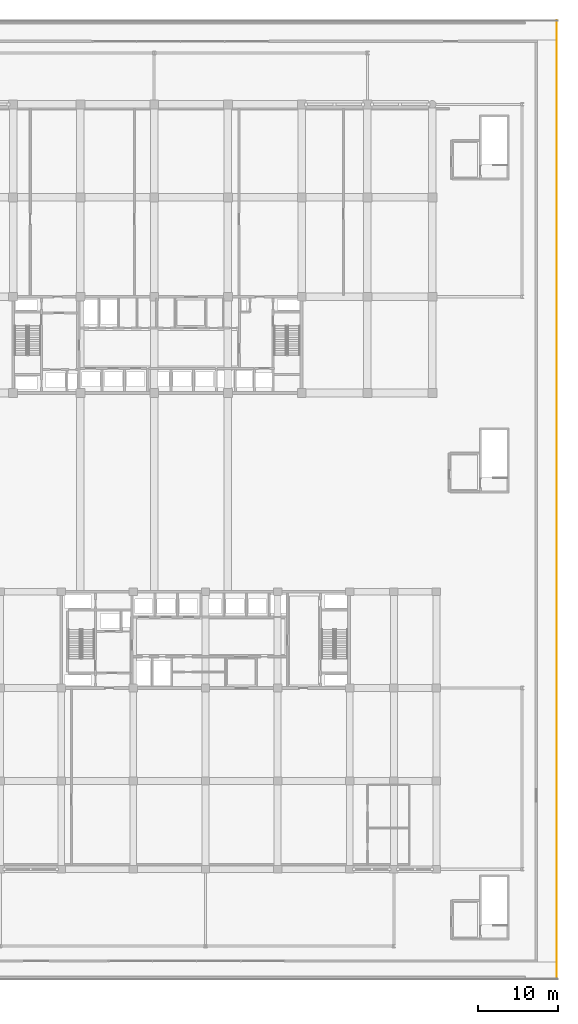
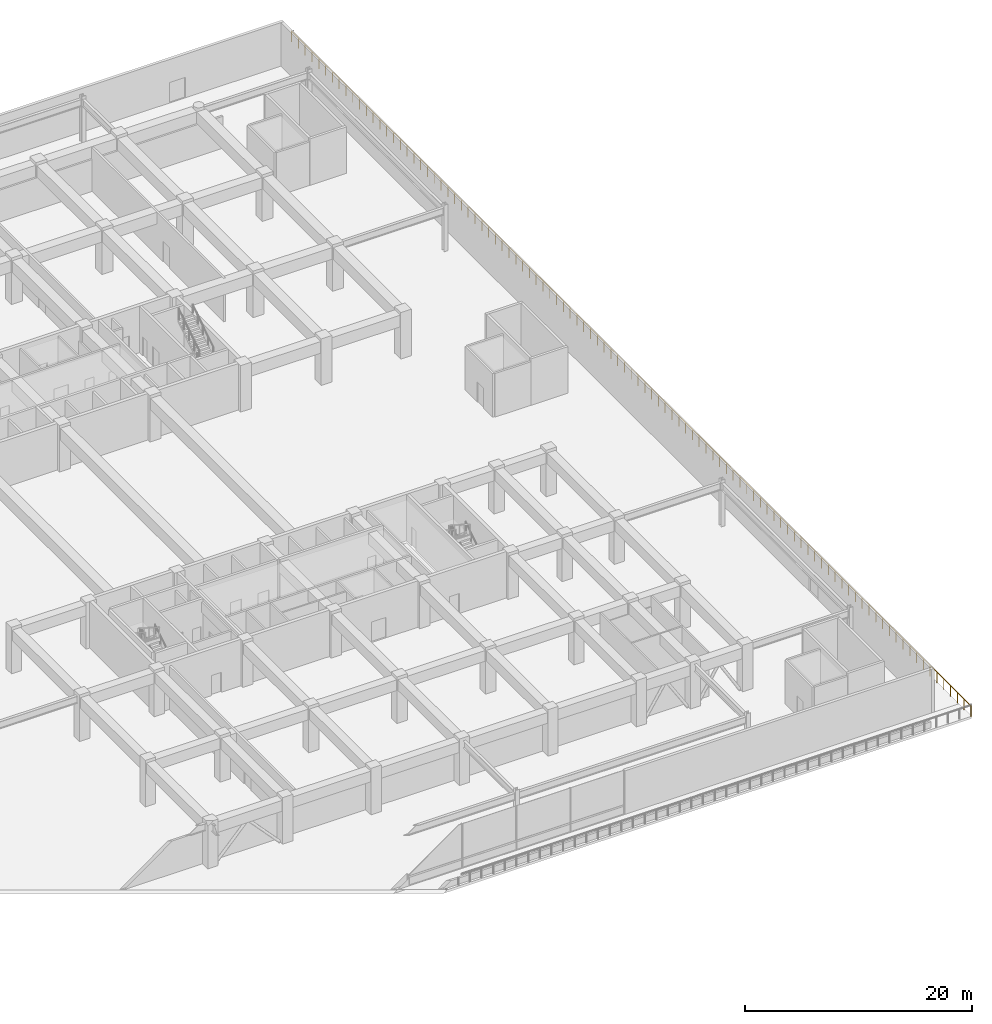
# One storey, part 36 of 38: 1 railing.
"""IFC4 building model written with IfcOpenShell, lengths in metres."""

from ifc_helpers import new_model, si_unit, direction, frame, origin, origin_2d, place, context, subcontext, project, spatial, circle, extrude, material, type_object, element, save


model = new_model("IFC4")

# Units and contexts
model_context = context("Model", 3, precision=1e-05, world=origin(), true_north=direction((0.0, 1.0)))
body_context = subcontext(model_context, "Body", "Model", "MODEL_VIEW")
ifc_project = project(units=[si_unit("LENGTHUNIT", "METRE"), si_unit("AREAUNIT", "SQUARE_METRE"), si_unit("VOLUMEUNIT", "CUBIC_METRE"), si_unit("PLANEANGLEUNIT", "RADIAN"), si_unit("MASSUNIT", "GRAM", prefix="KILO")], contexts=[model_context])

# Site, building, storey
site_placement = place(None, origin())
site = spatial("IfcSite", under=ifc_project, at=site_placement, CompositionType="ELEMENT")
building_placement = place(site_placement, origin())
building = spatial("IfcBuilding", under=site, at=building_placement, Name="Korimba Cascade Residences", CompositionType="ELEMENT")
storey_placement = place(building_placement, frame((0.0, 0.0, 19.0)))
storey = spatial("IfcBuildingStorey", under=building, at=storey_placement, Name="L04", CompositionType="ELEMENT", Elevation=19.0)

# Railing
ifc_material = material(Name="Painted Galvanised Steel Terrace Guardrail", Category="steel")
railing_type = type_object("IfcRailingType", Name="RLG-TER-1150", PredefinedType="GUARDRAIL", material=ifc_material)
railing_placement = place(storey_placement, frame((143.919921875, -18.0, 0.0)))
element("IfcRailing", 1, at=railing_placement, inside=storey, type_object=railing_type, Name="L04 Perimeter Guardrail RLG-L04-TER-02", PredefinedType="GUARDRAIL", context=body_context, shape_type="SweptSolid", body=[
    extrude(circle(Radius=0.02392578125, at=origin_2d()), frame((0.0, 0.0, 1.1259765625), z_axis=(0.0, 1.0, 0.0), x_axis=(-1.0, 0.0, 0.0)), (0.0, 0.0, 1.0), 119.699951171875),
    extrude(circle(Radius=0.02099609375, at=origin_2d()), origin(), (0.0, 0.0, 1.0), 1.101806640625),
    extrude(circle(Radius=0.02099609375, at=origin_2d()), frame((0.0, 1.197021484375, 0.0)), (0.0, 0.0, 1.0), 1.101806640625),
    extrude(circle(Radius=0.02099609375, at=origin_2d()), frame((0.0, 2.39404296875, 0.0)), (0.0, 0.0, 1.0), 1.101806640625),
    extrude(circle(Radius=0.02099609375, at=origin_2d()), frame((0.0, 3.591064453125, 0.0)), (0.0, 0.0, 1.0), 1.101806640625),
    extrude(circle(Radius=0.02099609375, at=origin_2d()), frame((0.0, 4.7880859375, 0.0)), (0.0, 0.0, 1.0), 1.101806640625),
    extrude(circle(Radius=0.02099609375, at=origin_2d()), frame((0.0, 5.985107421875, 0.0)), (0.0, 0.0, 1.0), 1.101806640625),
    extrude(circle(Radius=0.02099609375, at=origin_2d()), frame((0.0, 7.181884765625, 0.0)), (0.0, 0.0, 1.0), 1.101806640625),
    extrude(circle(Radius=0.02099609375, at=origin_2d()), frame((0.0, 8.37890625, 0.0)), (0.0, 0.0, 1.0), 1.101806640625),
    extrude(circle(Radius=0.02099609375, at=origin_2d()), frame((0.0, 9.575927734375, 0.0)), (0.0, 0.0, 1.0), 1.101806640625),
    extrude(circle(Radius=0.02099609375, at=origin_2d()), frame((0.0, 10.77294921875, 0.0)), (0.0, 0.0, 1.0), 1.101806640625),
    extrude(circle(Radius=0.02099609375, at=origin_2d()), frame((0.0, 11.969970703125, 0.0)), (0.0, 0.0, 1.0), 1.101806640625),
    extrude(circle(Radius=0.02099609375, at=origin_2d()), frame((0.0, 13.1669921875, 0.0)), (0.0, 0.0, 1.0), 1.101806640625),
    extrude(circle(Radius=0.02099609375, at=origin_2d()), frame((0.0, 14.364013671875, 0.0)), (0.0, 0.0, 1.0), 1.101806640625),
    extrude(circle(Radius=0.02099609375, at=origin_2d()), frame((0.0, 15.56103515625, 0.0)), (0.0, 0.0, 1.0), 1.101806640625),
    extrude(circle(Radius=0.02099609375, at=origin_2d()), frame((0.0, 16.758056640625, 0.0)), (0.0, 0.0, 1.0), 1.101806640625),
    extrude(circle(Radius=0.02099609375, at=origin_2d()), frame((0.0, 17.955078125, 0.0)), (0.0, 0.0, 1.0), 1.101806640625),
    extrude(circle(Radius=0.02099609375, at=origin_2d()), frame((0.0, 19.152099609375, 0.0)), (0.0, 0.0, 1.0), 1.101806640625),
    extrude(circle(Radius=0.02099609375, at=origin_2d()), frame((0.0, 20.348876953125, 0.0)), (0.0, 0.0, 1.0), 1.101806640625),
    extrude(circle(Radius=0.02099609375, at=origin_2d()), frame((0.0, 21.5458984375, 0.0)), (0.0, 0.0, 1.0), 1.101806640625),
    extrude(circle(Radius=0.02099609375, at=origin_2d()), frame((0.0, 22.742919921875, 0.0)), (0.0, 0.0, 1.0), 1.101806640625),
    extrude(circle(Radius=0.02099609375, at=origin_2d()), frame((0.0, 23.93994140625, 0.0)), (0.0, 0.0, 1.0), 1.101806640625),
    extrude(circle(Radius=0.02099609375, at=origin_2d()), frame((0.0, 25.136962890625, 0.0)), (0.0, 0.0, 1.0), 1.101806640625),
    extrude(circle(Radius=0.02099609375, at=origin_2d()), frame((0.0, 26.333984375, 0.0)), (0.0, 0.0, 1.0), 1.101806640625),
    extrude(circle(Radius=0.02099609375, at=origin_2d()), frame((0.0, 27.531005859375, 0.0)), (0.0, 0.0, 1.0), 1.101806640625),
    extrude(circle(Radius=0.02099609375, at=origin_2d()), frame((0.0, 28.72802734375, 0.0)), (0.0, 0.0, 1.0), 1.101806640625),
    extrude(circle(Radius=0.02099609375, at=origin_2d()), frame((0.0, 29.925048828125, 0.0)), (0.0, 0.0, 1.0), 1.101806640625),
    extrude(circle(Radius=0.02099609375, at=origin_2d()), frame((0.0, 31.1220703125, 0.0)), (0.0, 0.0, 1.0), 1.101806640625),
    extrude(circle(Radius=0.02099609375, at=origin_2d()), frame((0.0, 32.319091796875, 0.0)), (0.0, 0.0, 1.0), 1.101806640625),
    extrude(circle(Radius=0.02099609375, at=origin_2d()), frame((0.0, 33.515869140625, 0.0)), (0.0, 0.0, 1.0), 1.101806640625),
    extrude(circle(Radius=0.02099609375, at=origin_2d()), frame((0.0, 34.712890625, 0.0)), (0.0, 0.0, 1.0), 1.101806640625),
    extrude(circle(Radius=0.02099609375, at=origin_2d()), frame((0.0, 35.909912109375, 0.0)), (0.0, 0.0, 1.0), 1.101806640625),
    extrude(circle(Radius=0.02099609375, at=origin_2d()), frame((0.0, 37.10693359375, 0.0)), (0.0, 0.0, 1.0), 1.101806640625),
    extrude(circle(Radius=0.02099609375, at=origin_2d()), frame((0.0, 38.303955078125, 0.0)), (0.0, 0.0, 1.0), 1.101806640625),
    extrude(circle(Radius=0.02099609375, at=origin_2d()), frame((0.0, 39.5009765625, 0.0)), (0.0, 0.0, 1.0), 1.101806640625),
    extrude(circle(Radius=0.02099609375, at=origin_2d()), frame((0.0, 40.697998046875, 0.0)), (0.0, 0.0, 1.0), 1.101806640625),
    extrude(circle(Radius=0.02099609375, at=origin_2d()), frame((0.0, 41.89501953125, 0.0)), (0.0, 0.0, 1.0), 1.101806640625),
    extrude(circle(Radius=0.02099609375, at=origin_2d()), frame((0.0, 43.092041015625, 0.0)), (0.0, 0.0, 1.0), 1.101806640625),
    extrude(circle(Radius=0.02099609375, at=origin_2d()), frame((0.0, 44.2890625, 0.0)), (0.0, 0.0, 1.0), 1.101806640625),
    extrude(circle(Radius=0.02099609375, at=origin_2d()), frame((0.0, 45.486083984375, 0.0)), (0.0, 0.0, 1.0), 1.101806640625),
    extrude(circle(Radius=0.02099609375, at=origin_2d()), frame((0.0, 46.682861328125, 0.0)), (0.0, 0.0, 1.0), 1.101806640625),
    extrude(circle(Radius=0.02099609375, at=origin_2d()), frame((0.0, 47.8798828125, 0.0)), (0.0, 0.0, 1.0), 1.101806640625),
    extrude(circle(Radius=0.02099609375, at=origin_2d()), frame((0.0, 49.076904296875, 0.0)), (0.0, 0.0, 1.0), 1.101806640625),
    extrude(circle(Radius=0.02099609375, at=origin_2d()), frame((0.0, 50.27392578125, 0.0)), (0.0, 0.0, 1.0), 1.101806640625),
    extrude(circle(Radius=0.02099609375, at=origin_2d()), frame((0.0, 51.470947265625, 0.0)), (0.0, 0.0, 1.0), 1.101806640625),
    extrude(circle(Radius=0.02099609375, at=origin_2d()), frame((0.0, 52.66796875, 0.0)), (0.0, 0.0, 1.0), 1.101806640625),
    extrude(circle(Radius=0.02099609375, at=origin_2d()), frame((0.0, 53.864990234375, 0.0)), (0.0, 0.0, 1.0), 1.101806640625),
    extrude(circle(Radius=0.02099609375, at=origin_2d()), frame((0.0, 55.06201171875, 0.0)), (0.0, 0.0, 1.0), 1.101806640625),
    extrude(circle(Radius=0.02099609375, at=origin_2d()), frame((0.0, 56.259033203125, 0.0)), (0.0, 0.0, 1.0), 1.101806640625),
    extrude(circle(Radius=0.02099609375, at=origin_2d()), frame((0.0, 57.4560546875, 0.0)), (0.0, 0.0, 1.0), 1.101806640625),
    extrude(circle(Radius=0.02099609375, at=origin_2d()), frame((0.0, 58.653076171875, 0.0)), (0.0, 0.0, 1.0), 1.101806640625),
    extrude(circle(Radius=0.02099609375, at=origin_2d()), frame((0.0, 59.85009765625, 0.0)), (0.0, 0.0, 1.0), 1.101806640625),
    extrude(circle(Radius=0.02099609375, at=origin_2d()), frame((0.0, 61.046875, 0.0)), (0.0, 0.0, 1.0), 1.101806640625),
    extrude(circle(Radius=0.02099609375, at=origin_2d()), frame((0.0, 62.243896484375, 0.0)), (0.0, 0.0, 1.0), 1.101806640625),
    extrude(circle(Radius=0.02099609375, at=origin_2d()), frame((0.0, 63.44091796875, 0.0)), (0.0, 0.0, 1.0), 1.101806640625),
    extrude(circle(Radius=0.02099609375, at=origin_2d()), frame((0.0, 64.637939453125, 0.0)), (0.0, 0.0, 1.0), 1.101806640625),
    extrude(circle(Radius=0.02099609375, at=origin_2d()), frame((0.0, 65.8349609375, 0.0)), (0.0, 0.0, 1.0), 1.101806640625),
    extrude(circle(Radius=0.02099609375, at=origin_2d()), frame((0.0, 67.031982421875, 0.0)), (0.0, 0.0, 1.0), 1.101806640625),
    extrude(circle(Radius=0.02099609375, at=origin_2d()), frame((0.0, 68.22900390625, 0.0)), (0.0, 0.0, 1.0), 1.101806640625),
    extrude(circle(Radius=0.02099609375, at=origin_2d()), frame((0.0, 69.426025390625, 0.0)), (0.0, 0.0, 1.0), 1.101806640625),
    extrude(circle(Radius=0.02099609375, at=origin_2d()), frame((0.0, 70.623046875, 0.0)), (0.0, 0.0, 1.0), 1.101806640625),
    extrude(circle(Radius=0.02099609375, at=origin_2d()), frame((0.0, 71.820068359375, 0.0)), (0.0, 0.0, 1.0), 1.101806640625),
    extrude(circle(Radius=0.02099609375, at=origin_2d()), frame((0.0, 73.01708984375, 0.0)), (0.0, 0.0, 1.0), 1.101806640625),
    extrude(circle(Radius=0.02099609375, at=origin_2d()), frame((0.0, 74.2138671875, 0.0)), (0.0, 0.0, 1.0), 1.101806640625),
    extrude(circle(Radius=0.02099609375, at=origin_2d()), frame((0.0, 75.410888671875, 0.0)), (0.0, 0.0, 1.0), 1.101806640625),
    extrude(circle(Radius=0.02099609375, at=origin_2d()), frame((0.0, 76.60791015625, 0.0)), (0.0, 0.0, 1.0), 1.101806640625),
    extrude(circle(Radius=0.02099609375, at=origin_2d()), frame((0.0, 77.804931640625, 0.0)), (0.0, 0.0, 1.0), 1.101806640625),
    extrude(circle(Radius=0.02099609375, at=origin_2d()), frame((0.0, 79.001953125, 0.0)), (0.0, 0.0, 1.0), 1.101806640625),
    extrude(circle(Radius=0.02099609375, at=origin_2d()), frame((0.0, 80.198974609375, 0.0)), (0.0, 0.0, 1.0), 1.101806640625),
    extrude(circle(Radius=0.02099609375, at=origin_2d()), frame((0.0, 81.39599609375, 0.0)), (0.0, 0.0, 1.0), 1.101806640625),
    extrude(circle(Radius=0.02099609375, at=origin_2d()), frame((0.0, 82.593017578125, 0.0)), (0.0, 0.0, 1.0), 1.101806640625),
    extrude(circle(Radius=0.02099609375, at=origin_2d()), frame((0.0, 83.7900390625, 0.0)), (0.0, 0.0, 1.0), 1.101806640625),
    extrude(circle(Radius=0.02099609375, at=origin_2d()), frame((0.0, 84.987060546875, 0.0)), (0.0, 0.0, 1.0), 1.101806640625),
    extrude(circle(Radius=0.02099609375, at=origin_2d()), frame((0.0, 86.18408203125, 0.0)), (0.0, 0.0, 1.0), 1.101806640625),
    extrude(circle(Radius=0.02099609375, at=origin_2d()), frame((0.0, 87.380859375, 0.0)), (0.0, 0.0, 1.0), 1.101806640625),
    extrude(circle(Radius=0.02099609375, at=origin_2d()), frame((0.0, 88.577880859375, 0.0)), (0.0, 0.0, 1.0), 1.101806640625),
    extrude(circle(Radius=0.02099609375, at=origin_2d()), frame((0.0, 89.77490234375, 0.0)), (0.0, 0.0, 1.0), 1.101806640625),
    extrude(circle(Radius=0.02099609375, at=origin_2d()), frame((0.0, 90.971923828125, 0.0)), (0.0, 0.0, 1.0), 1.101806640625),
    extrude(circle(Radius=0.02099609375, at=origin_2d()), frame((0.0, 92.1689453125, 0.0)), (0.0, 0.0, 1.0), 1.101806640625),
    extrude(circle(Radius=0.02099609375, at=origin_2d()), frame((0.0, 93.365966796875, 0.0)), (0.0, 0.0, 1.0), 1.101806640625),
    extrude(circle(Radius=0.02099609375, at=origin_2d()), frame((0.0, 94.56298828125, 0.0)), (0.0, 0.0, 1.0), 1.101806640625),
    extrude(circle(Radius=0.02099609375, at=origin_2d()), frame((0.0, 95.760009765625, 0.0)), (0.0, 0.0, 1.0), 1.101806640625),
    extrude(circle(Radius=0.02099609375, at=origin_2d()), frame((0.0, 96.95703125, 0.0)), (0.0, 0.0, 1.0), 1.101806640625),
    extrude(circle(Radius=0.02099609375, at=origin_2d()), frame((0.0, 98.154052734375, 0.0)), (0.0, 0.0, 1.0), 1.101806640625),
    extrude(circle(Radius=0.02099609375, at=origin_2d()), frame((0.0, 99.35107421875, 0.0)), (0.0, 0.0, 1.0), 1.101806640625),
    extrude(circle(Radius=0.02099609375, at=origin_2d()), frame((0.0, 100.5478515625, 0.0)), (0.0, 0.0, 1.0), 1.101806640625),
    extrude(circle(Radius=0.02099609375, at=origin_2d()), frame((0.0, 101.744873046875, 0.0)), (0.0, 0.0, 1.0), 1.101806640625),
    extrude(circle(Radius=0.02099609375, at=origin_2d()), frame((0.0, 102.94189453125, 0.0)), (0.0, 0.0, 1.0), 1.101806640625),
    extrude(circle(Radius=0.02099609375, at=origin_2d()), frame((0.0, 104.138916015625, 0.0)), (0.0, 0.0, 1.0), 1.101806640625),
    extrude(circle(Radius=0.02099609375, at=origin_2d()), frame((0.0, 105.3359375, 0.0)), (0.0, 0.0, 1.0), 1.101806640625),
    extrude(circle(Radius=0.02099609375, at=origin_2d()), frame((0.0, 106.532958984375, 0.0)), (0.0, 0.0, 1.0), 1.101806640625),
    extrude(circle(Radius=0.02099609375, at=origin_2d()), frame((0.0, 107.72998046875, 0.0)), (0.0, 0.0, 1.0), 1.101806640625),
    extrude(circle(Radius=0.02099609375, at=origin_2d()), frame((0.0, 108.927001953125, 0.0)), (0.0, 0.0, 1.0), 1.101806640625),
    extrude(circle(Radius=0.02099609375, at=origin_2d()), frame((0.0, 110.1240234375, 0.0)), (0.0, 0.0, 1.0), 1.101806640625),
    extrude(circle(Radius=0.02099609375, at=origin_2d()), frame((0.0, 111.321044921875, 0.0)), (0.0, 0.0, 1.0), 1.101806640625),
    extrude(circle(Radius=0.02099609375, at=origin_2d()), frame((0.0, 112.51806640625, 0.0)), (0.0, 0.0, 1.0), 1.101806640625),
    extrude(circle(Radius=0.02099609375, at=origin_2d()), frame((0.0, 113.71484375, 0.0)), (0.0, 0.0, 1.0), 1.101806640625),
    extrude(circle(Radius=0.02099609375, at=origin_2d()), frame((0.0, 114.911865234375, 0.0)), (0.0, 0.0, 1.0), 1.101806640625),
    extrude(circle(Radius=0.02099609375, at=origin_2d()), frame((0.0, 116.10888671875, 0.0)), (0.0, 0.0, 1.0), 1.101806640625),
    extrude(circle(Radius=0.02099609375, at=origin_2d()), frame((0.0, 117.305908203125, 0.0)), (0.0, 0.0, 1.0), 1.101806640625),
    extrude(circle(Radius=0.02099609375, at=origin_2d()), frame((0.0, 118.5029296875, 0.0)), (0.0, 0.0, 1.0), 1.101806640625),
    extrude(circle(Radius=0.02099609375, at=origin_2d()), frame((0.0, 119.699951171875, 0.0)), (0.0, 0.0, 1.0), 1.101806640625),
])

save(model, "model.ifc")
